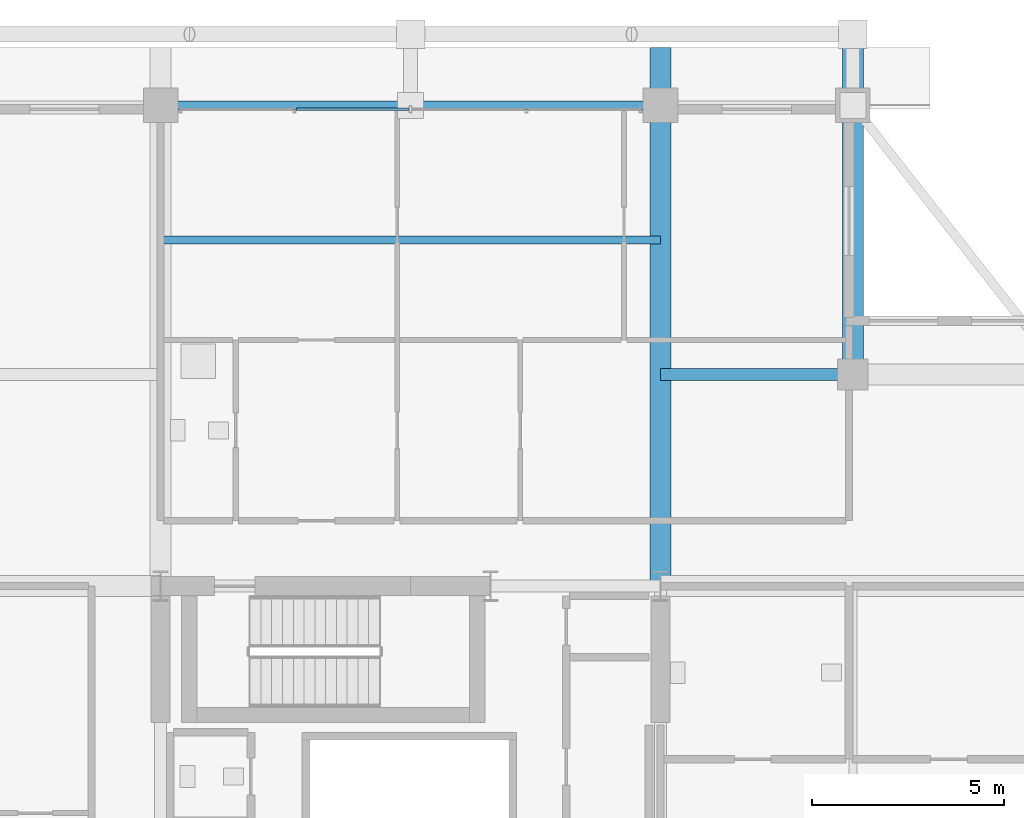
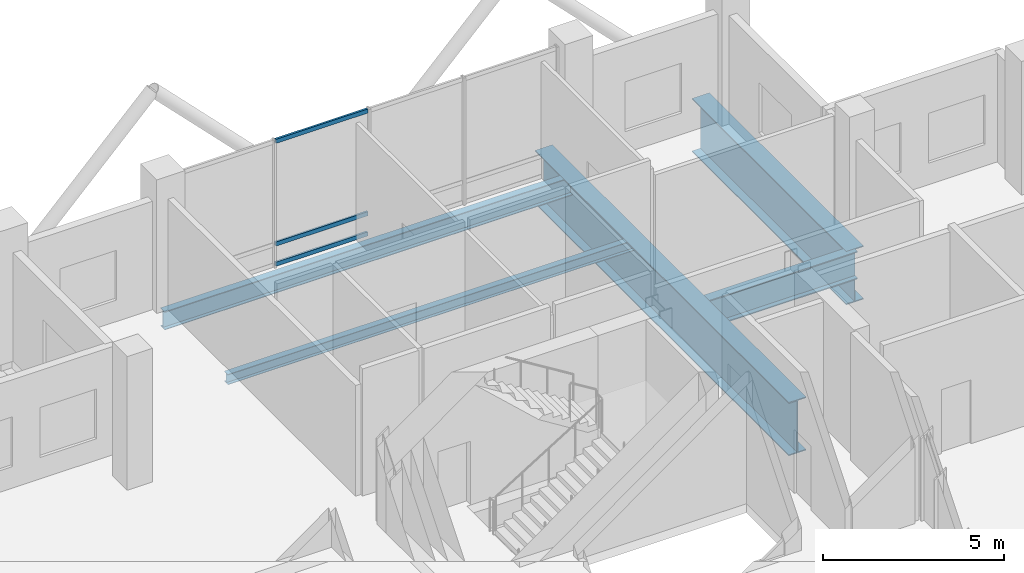
# One storey, part 17 of 27: 5 beams, 3 members, 1 element without a shape of its own.
"""IFC4 building model written with IfcOpenShell, lengths in metres."""

from ifc_helpers import new_model, si_unit, direction, frame, origin, origin_2d, place, context, subcontext, project, spatial, hollow_rectangle, i_section, extrude, material, layer, layer_set, material_profile, profile_set, type_object, element, aggregate, save


model = new_model("IFC4")

# Units and contexts
model_context = context("Model", 3, precision=1e-05, world=origin(), true_north=direction((0.0, 1.0)))
body_context = subcontext(model_context, "Body", "Model", "MODEL_VIEW")
ifc_project = project(units=[si_unit("LENGTHUNIT", "METRE"), si_unit("AREAUNIT", "SQUARE_METRE"), si_unit("VOLUMEUNIT", "CUBIC_METRE"), si_unit("PLANEANGLEUNIT", "RADIAN"), si_unit("MASSUNIT", "GRAM", prefix="KILO")], contexts=[model_context])

# Site, building, storey
site_placement = place(None, origin())
site = spatial("IfcSite", under=ifc_project, at=site_placement, CompositionType="ELEMENT")
building_placement = place(site_placement, origin())
building = spatial("IfcBuilding", under=site, at=building_placement, Name="Barlavira Tower and Art Museum", CompositionType="ELEMENT")
storey_placement = place(building_placement, frame((0.0, 0.0, 217.800048828125)))
storey = spatial("IfcBuildingStorey", under=building, at=storey_placement, Name="L56", CompositionType="ELEMENT", Elevation=217.800048828125)

# Curtain wall, members
ifc_material_1 = material(Name="Low-iron coastal laminated glass", Category="glass")
ifc_layer = layer(ifc_material_1, 0.2099609375, Name="Low-iron coastal laminated glass")
ifc_layer_set = layer_set([ifc_layer], Name="Low-iron coastal laminated glass")
curtain_wall_type = type_object("IfcCurtainWallType", Name="Pale-Metal Unitised Curtain Wall Zone 4", PredefinedType="NOTDEFINED", material=ifc_layer_set)
curtain_wall_placement = place(storey_placement, origin())
curtain_wall = element("IfcCurtainWall", 1, at=curtain_wall_placement, inside=storey, type_object=curtain_wall_type, Name="L56 Curtain Wall CW4-L56-N-B2", PredefinedType="NOTDEFINED")
ifc_material_2 = material(Name="Pale anodised aluminium", Category="aluminium")
ifc_material_profile_1 = material_profile(ifc_material_2, hollow_rectangle(XDim=0.06494140625, YDim=0.139892578125, WallThickness=0.00390625, at=origin_2d()), Name="ALU-TRAN 65x140x4")
ifc_profile_set_1 = profile_set([ifc_material_profile_1], Name="Pale anodised aluminium")
member_type = type_object("IfcMemberType", Name="Curtain Wall Pale-Metal Transom 65x140", PredefinedType="USERDEFINED", material=ifc_profile_set_1)
member_1_placement = place(storey_placement, frame((-0.044921875, 19.89990234375, 0.070068359375), z_axis=(-1.0, 0.0, 0.0), x_axis=(0.0, -1.0, 0.0)))
member_1 = element("IfcMember", 2, at=member_1_placement, type_object=member_type, Name="CW4-L56-N-B2 Transom 2.1", ObjectType="TRANSOM", PredefinedType="USERDEFINED", context=body_context, shape_type="SweptSolid", body=[
    extrude(hollow_rectangle(XDim=0.06494140625, YDim=0.139892578125, WallThickness=0.00390625, at=origin_2d()), origin(), (0.0, 0.0, 1.0), 2.925048828125),
])
member_2_placement = place(storey_placement, frame((-0.044921875, 19.89990234375, 0.75), z_axis=(-1.0, 0.0, 0.0), x_axis=(0.0, -1.0, 0.0)))
member_2 = element("IfcMember", 3, at=member_2_placement, type_object=member_type, Name="CW4-L56-N-B2 Transom 2.2", ObjectType="TRANSOM", PredefinedType="USERDEFINED", context=body_context, shape_type="SweptSolid", body=[
    extrude(hollow_rectangle(XDim=0.06494140625, YDim=0.139892578125, WallThickness=0.00390625, at=origin_2d()), origin(), (0.0, 0.0, 1.0), 2.925048828125),
])
member_3_placement = place(storey_placement, frame((-0.044921875, 19.89990234375, 4.2099609375), z_axis=(-1.0, 0.0, 0.0), x_axis=(0.0, -1.0, 0.0)))
member_3 = element("IfcMember", 4, at=member_3_placement, type_object=member_type, Name="CW4-L56-N-B2 Transom 2.3", ObjectType="TRANSOM", PredefinedType="USERDEFINED", context=body_context, shape_type="SweptSolid", body=[
    extrude(hollow_rectangle(XDim=0.06494140625, YDim=0.139892578125, WallThickness=0.00390625, at=origin_2d()), origin(), (0.0, 0.0, 1.0), 2.925048828125),
])
aggregate(curtain_wall, [member_1, member_2, member_3])

# Beams
ifc_material_3 = material(Name="Steel S355", Category="steel")
ifc_material_profile_2 = material_profile(ifc_material_3, i_section(OverallWidth=0.30908203125, OverallDepth=0.931884765625, WebThickness=0.01953125, FlangeThickness=0.034423828125, at=origin_2d()), Name="W920x313.0")
ifc_profile_set_2 = profile_set([ifc_material_profile_2], Name="Steel S355")
beam_type_1 = type_object("IfcBeamType", Name="Setback Ring Girder W920x313 Steel S355", PredefinedType="BEAM", material=ifc_profile_set_2)
beam_1_placement = place(storey_placement, frame((6.5, 13.0, -0.76611328125), z_axis=(1.0, 0.0, 0.0), x_axis=(0.0, 1.0, 0.0)))
element("IfcBeam", 5, at=beam_1_placement, inside=storey, type_object=beam_type_1, Name="L56 Girder I-N3", PredefinedType="BEAM", context=body_context, shape_type="SweptSolid", body=[
    extrude(i_section(OverallWidth=0.30908203125, OverallDepth=0.931884765625, WebThickness=0.01953125, FlangeThickness=0.034423828125, at=origin_2d()), origin(), (0.0, 0.0, 1.0), 5.0),
])
ifc_material_profile_3 = material_profile(ifc_material_3, i_section(OverallWidth=0.22998046875, OverallDepth=0.616943359375, WebThickness=0.01318359375, FlangeThickness=0.022216796875, at=origin_2d()), Name="W610x140.0")
ifc_profile_set_3 = profile_set([ifc_material_profile_3], Name="Steel S355")
beam_type_2 = type_object("IfcBeamType", Name="Upper Shaft Spandrel Edge Beam W610x140 Steel S355", PredefinedType="SPANDREL", material=ifc_profile_set_3)
beam_2_placement = place(storey_placement, frame((-6.5, 20.0, -0.608642578125), z_axis=(1.0, 0.0, 0.0), x_axis=(0.0, 1.0, 0.0)))
element("IfcBeam", 6, at=beam_2_placement, inside=storey, type_object=beam_type_2, Name="L56 Spandrel 10", PredefinedType="SPANDREL", context=body_context, shape_type="SweptSolid", body=[
    extrude(i_section(OverallWidth=0.22998046875, OverallDepth=0.616943359375, WebThickness=0.01318359375, FlangeThickness=0.022216796875, at=origin_2d()), origin(), (0.0, 0.0, 1.0), 13.0),
])
ifc_material_profile_4 = material_profile(ifc_material_3, i_section(OverallWidth=0.202880859375, OverallDepth=0.346923828125, WebThickness=0.0078125, FlangeThickness=0.013427734375, at=origin_2d()), Name="W360x64.0")
ifc_profile_set_4 = profile_set([ifc_material_profile_4], Name="Steel S355")
beam_type_3 = type_object("IfcBeamType", Name="Zone 4 Composite Floor Joist W360x64 Steel S355", PredefinedType="JOIST", material=ifc_profile_set_4)
beam_3_placement = place(storey_placement, frame((-6.5, 16.5, -0.4736328125), z_axis=(1.0, 0.0, 0.0), x_axis=(0.0, 1.0, 0.0)))
element("IfcBeam", 7, at=beam_3_placement, inside=storey, type_object=beam_type_3, Name="L56 Joist C2", PredefinedType="JOIST", context=body_context, shape_type="SweptSolid", body=[
    extrude(i_section(OverallWidth=0.202880859375, OverallDepth=0.346923828125, WebThickness=0.0078125, FlangeThickness=0.013427734375, at=origin_2d()), origin(), (0.0, 0.0, 1.0), 13.0),
])
ifc_material_profile_5 = material_profile(ifc_material_3, i_section(OverallWidth=0.550048828125, OverallDepth=1.800048828125, WebThickness=0.02587890625, FlangeThickness=0.033935546875, at=origin_2d()), Name="CVS1800x520")
ifc_profile_set_5 = profile_set([ifc_material_profile_5], Name="Steel S355")
beam_type_4 = type_object("IfcBeamType", Name="Zone Setback Transfer Girder CVS1800x520 Steel S355", PredefinedType="USERDEFINED", material=ifc_profile_set_5)
beam_4_placement = place(storey_placement, frame((6.5, 7.5, -1.199951171875), z_axis=(0.0, 1.0, 0.0), x_axis=(-1.0, 0.0, 0.0)))
element("IfcBeam", 8, at=beam_4_placement, inside=storey, type_object=beam_type_4, Name="L56 Setback Transfer Girder TGL56-05B", ObjectType="TRANSFER GIRDER", PredefinedType="USERDEFINED", context=body_context, shape_type="SweptSolid", body=[
    extrude(i_section(OverallWidth=0.550048828125, OverallDepth=1.800048828125, WebThickness=0.02587890625, FlangeThickness=0.033935546875, at=origin_2d()), origin(), (0.0, 0.0, 1.0), 14.0),
])
beam_5_placement = place(storey_placement, frame((11.5, 13.0, -1.199951171875), z_axis=(0.0, 1.0, 0.0), x_axis=(-1.0, 0.0, 0.0)))
element("IfcBeam", 9, at=beam_5_placement, inside=storey, type_object=beam_type_4, Name="L56 Setback Transfer Girder TGL56-06", ObjectType="TRANSFER GIRDER", PredefinedType="USERDEFINED", context=body_context, shape_type="SweptSolid", body=[
    extrude(i_section(OverallWidth=0.550048828125, OverallDepth=1.800048828125, WebThickness=0.02587890625, FlangeThickness=0.033935546875, at=origin_2d()), origin(), (0.0, 0.0, 1.0), 8.5),
])

save(model, "model.ifc")
